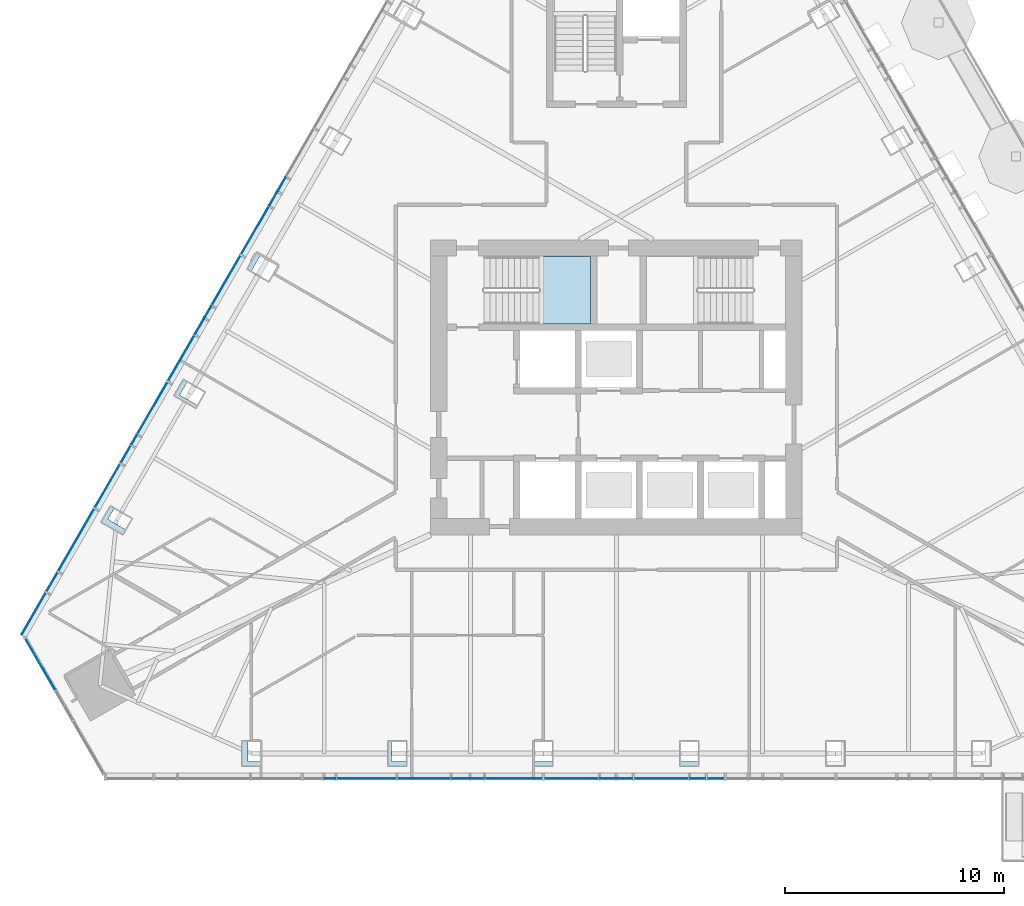
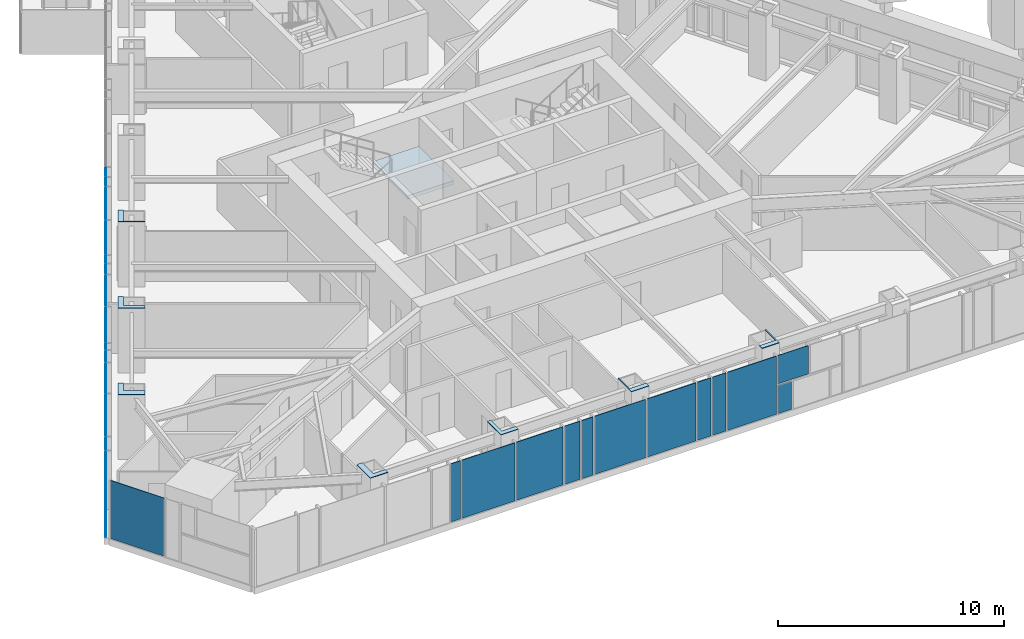
# One storey, part 9 of 24: 34 plates, 1 slab, 4 elements without a shape of their own.
"""IFC4 building model written with IfcOpenShell, lengths in metres."""

import ifcopenshell
import ifcopenshell.guid

model = None  # the IFC model being written
_history = None  # IfcOwnerHistory: only IFC2X3 demands one
_inside = {}  # id of a spatial element -> (the spatial element, [elements in it])
_under = {}  # id of a project, library or spatial element -> (it, [spatial elements below it])
_declared = {}  # id of a project -> (the project, [libraries it declares])
_typed = {}  # id of a type object -> (the type object, [elements of that type])
_made_of = {}  # id of a material, layer set ... -> (it, [elements and type objects made of it])


def new_model(schema):
    """Start an empty IFC model of exactly this schema.

    Asked for "IFC4X3", IfcOpenShell would pick the latest addendum, in which some entities
    have other attributes; the version numbers below select the first issue.
    IFC2X3 requires an IfcOwnerHistory on every rooted entity: one is made here for all.
    """
    global model, _history
    if schema == "IFC4X3":
        model = ifcopenshell.file(schema_version=(4, 3, 0, 0))
    else:
        model = ifcopenshell.file(schema=schema)
    _inside.clear()
    _under.clear()
    _declared.clear()
    _typed.clear()
    _made_of.clear()
    _history = None
    if model.schema == "IFC2X3":
        org = make("IfcOrganization", Name="unknown")
        user = make(
            "IfcPersonAndOrganization",
            ThePerson=make("IfcPerson", FamilyName="unknown"),
            TheOrganization=org,
        )
        app = make(
            "IfcApplication",
            ApplicationDeveloper=org,
            Version="unknown",
            ApplicationFullName="unknown",
            ApplicationIdentifier="unknown",
        )
        _history = make(
            "IfcOwnerHistory",
            OwningUser=user,
            OwningApplication=app,
            ChangeAction="ADDED",
            CreationDate=0,
        )
    return model


def make(cls, **values):
    """One entity of the class cls with the attributes given. An attribute that is None is left unset."""
    return model.create_entity(
        cls, **{name: value for name, value in values.items() if value is not None}
    )


def rooted(cls, **values):
    """An entity with a GlobalId (a new one), such as an element, a storey or a relation."""
    return make(cls, GlobalId=ifcopenshell.guid.new(), OwnerHistory=_history, **values)


def si_unit(unit_type, name, prefix=None):
    """IfcSIUnit, for example si_unit("LENGTHUNIT", "METRE", prefix="MILLI")."""
    return make("IfcSIUnit", UnitType=unit_type, Prefix=prefix, Name=name)


def assignment(units):
    """IfcUnitAssignment: the units of a project."""
    return None if units is None else make("IfcUnitAssignment", Units=units)


def point(xyz):
    """IfcCartesianPoint."""
    return None if xyz is None else make("IfcCartesianPoint", Coordinates=xyz)


def direction(xyz):
    """IfcDirection."""
    return None if xyz is None else make("IfcDirection", DirectionRatios=xyz)


def frame(location, z_axis=None, x_axis=None):
    """IfcAxis2Placement3D, a coordinate frame: its origin and axes. An axis left out is left unset."""
    return make(
        "IfcAxis2Placement3D",
        Location=point(location),
        Axis=direction(z_axis),
        RefDirection=direction(x_axis),
    )


def origin():
    """The frame at (0, 0, 0) with its axes left unset."""
    return frame((0.0, 0.0, 0.0))


def place(relative_to, where):
    """IfcLocalPlacement: puts the frame where relative to a parent placement (None: the world)."""
    return make(
        "IfcLocalPlacement", PlacementRelTo=relative_to, RelativePlacement=where
    )


def context(
    kind, dimensions, precision=None, world=None, true_north=None, identifier=None
):
    """IfcGeometricRepresentationContext, for example the 3D "Model" context."""
    return make(
        "IfcGeometricRepresentationContext",
        ContextIdentifier=identifier,
        ContextType=kind,
        CoordinateSpaceDimension=dimensions,
        Precision=precision,
        WorldCoordinateSystem=world,
        TrueNorth=true_north,
    )


def subcontext(parent, identifier, kind, view, scale=None):
    """IfcGeometricRepresentationSubContext, for example "Body" below "Model"."""
    return make(
        "IfcGeometricRepresentationSubContext",
        ContextIdentifier=identifier,
        ContextType=kind,
        ParentContext=parent,
        TargetScale=scale,
        TargetView=view,
    )


def project(units=None, contexts=None):
    """IfcProject with its units and contexts."""
    return rooted(
        "IfcProject",
        Name="project",
        RepresentationContexts=contexts,
        UnitsInContext=assignment(units),
    )


def spatial(cls, under=None, at=None, **own):
    """A site, building, storey or space (cls), placed at a placement, below another one or the project."""
    s = rooted(cls, ObjectPlacement=at, **own)
    if under is not None:
        _under.setdefault(under.id(), (under, []))[1].append(s)
    return s


def polyline(points):
    """IfcPolyline through the points."""
    return make("IfcPolyline", Points=[point(p) for p in points])


def outline(outer, holes=None, kind="AREA"):
    """IfcArbitraryClosedProfileDef: a profile drawn as a closed curve; with holes, ...WithVoids."""
    if holes is None:
        return make("IfcArbitraryClosedProfileDef", ProfileType=kind, OuterCurve=outer)
    return make(
        "IfcArbitraryProfileDefWithVoids",
        ProfileType=kind,
        OuterCurve=outer,
        InnerCurves=holes,
    )


def extrude(swept, where, along, depth):
    """IfcExtrudedAreaSolid: the profile swept, set in the frame where, extruded along a direction by depth."""
    return make(
        "IfcExtrudedAreaSolid",
        SweptArea=swept,
        Position=where,
        ExtrudedDirection=direction(along),
        Depth=depth,
    )


def shape(context_of_items, identifier, shape_type, items):
    """IfcShapeRepresentation: the items that make up one representation, for example the "Body"."""
    return make(
        "IfcShapeRepresentation",
        ContextOfItems=context_of_items,
        RepresentationIdentifier=identifier,
        RepresentationType=shape_type,
        Items=items,
    )


def material(Name=None, Category=None):
    """IfcMaterial."""
    return make("IfcMaterial", Name=Name, Category=Category)


def layer(
    of_material, thickness, ventilated=None, Name=None, Category=None, Priority=None
):
    """IfcMaterialLayer: one layer of a wall or slab, of a material (None: an air gap)."""
    return make(
        "IfcMaterialLayer",
        Material=of_material,
        LayerThickness=thickness,
        IsVentilated=ventilated,
        Name=Name,
        Category=Category,
        Priority=Priority,
    )


def layer_set(layers, Name=None):
    """IfcMaterialLayerSet."""
    return make("IfcMaterialLayerSet", MaterialLayers=layers, LayerSetName=Name)


def made_of(thing, what):
    """Note that an element or type object is made of a material, layer set ...; save() writes the relation."""
    if what is not None:
        _made_of.setdefault(what.id(), (what, []))[1].append(thing)
    return thing


def type_object(cls, material=None, **own):
    """A type object (cls), such as IfcWallType, which elements share."""
    return made_of(rooted(cls, **own), material)


def element(
    cls,
    number,
    at=None,
    inside=None,
    cuts=None,
    type_object=None,
    material=None,
    context=None,
    identifier="Body",
    shape_type=None,
    held_by="IfcProductDefinitionShape",
    body=None,
    shapes=None,
    **own,
):
    """One element of the class cls, such as IfcWall. Its Tag is "e" and its number.

    at: its placement. inside: the storey or other place that contains it. cuts: it is an
    opening in that element (IfcRelVoidsElement). A single representation is given by context,
    identifier, shape_type and body (its items); several are given by shapes. held_by: the class
    of the entity that holds the representations. save() writes the other relations.
    """
    e = rooted(cls, Tag="e%d" % number, ObjectPlacement=at, **own)
    if body is not None:
        shapes = [shape(context, identifier, shape_type, body)]
    if shapes is not None:
        e.Representation = make(held_by, Representations=shapes)
    if inside is not None:
        _inside.setdefault(inside.id(), (inside, []))[1].append(e)
    if cuts is not None:
        rooted(
            "IfcRelVoidsElement", RelatingBuildingElement=cuts, RelatedOpeningElement=e
        )
    if type_object is not None:
        _typed.setdefault(type_object.id(), (type_object, []))[1].append(e)
    return made_of(e, material)


def aggregate(whole, parts):
    """IfcRelAggregates: a whole, such as a stair, and the parts it consists of."""
    return rooted("IfcRelAggregates", RelatingObject=whole, RelatedObjects=parts)


def save(model, path):
    """Write the relations noted so far, then the file.

    IfcRelAggregates (storeys below a building ...), IfcRelContainedInSpatialStructure (elements
    in a storey), IfcRelDefinesByType, IfcRelAssociatesMaterial and IfcRelDeclares: one each for
    every whole, place, type object, material and project.
    """
    for whole, parts in _under.values():
        aggregate(whole, parts)
    for where, things in _inside.values():
        rooted(
            "IfcRelContainedInSpatialStructure",
            RelatedElements=things,
            RelatingStructure=where,
        )
    for kind, things in _typed.values():
        rooted("IfcRelDefinesByType", RelatedObjects=things, RelatingType=kind)
    for what, things in _made_of.values():
        rooted("IfcRelAssociatesMaterial", RelatedObjects=things, RelatingMaterial=what)
    for by, libraries in _declared.values():
        rooted("IfcRelDeclares", RelatingContext=by, RelatedDefinitions=libraries)
    model.write(path)


model = new_model("IFC4")

# Units and contexts
model_context = context("Model", 3, precision=1e-05, world=origin(), true_north=direction((0.0, 1.0)))
body_context = subcontext(model_context, "Body", "Model", "MODEL_VIEW")
ifc_project = project(units=[si_unit("LENGTHUNIT", "METRE"), si_unit("AREAUNIT", "SQUARE_METRE"), si_unit("VOLUMEUNIT", "CUBIC_METRE"), si_unit("PLANEANGLEUNIT", "RADIAN"), si_unit("MASSUNIT", "GRAM", prefix="KILO")], contexts=[model_context])

# Site, building, storey
site_placement = place(None, origin())
site = spatial("IfcSite", under=ifc_project, at=site_placement, CompositionType="ELEMENT")
building_placement = place(site_placement, origin())
building = spatial("IfcBuilding", under=site, at=building_placement, Name="Firuza Gate Tower and Library", CompositionType="ELEMENT")
storey_placement = place(building_placement, frame((0.0, 0.0, 267.10009765625)))
storey = spatial("IfcBuildingStorey", under=building, at=storey_placement, Name="L63", CompositionType="ELEMENT", Elevation=267.10009765625)

# Plates
ifc_material_1 = material(Name="Steel S355", Category="steel")
ifc_layer_1 = layer(ifc_material_1, 0.030029296875)
ifc_layer_set_1 = layer_set([ifc_layer_1], Name="Column infill plate 30 Steel S355")
plate_type_1 = type_object("IfcPlateType", Name="Column infill plate 30 Steel S355", PredefinedType="SHEET", material=ifc_layer_set_1)
placement_1 = place(storey_placement, frame((0.0, 0.0, 3.5)))
element("IfcPlate", 1, at=placement_1, inside=storey, type_object=plate_type_1, Name="Infill plate L63:S1", PredefinedType="SHEET", context=body_context, shape_type="SweptSolid", body=[
    extrude(outline(polyline([(58.743408203125, 57.63916015625), (58.743408203125, 57.876220703125), (58.13671875, 57.876220703125), (58.13671875, 58.83935546875), (57.84326171875, 58.83935546875), (57.84326171875, 57.63916015625), (58.743408203125, 57.63916015625)])), origin(), (0.0, 0.0, 1.0), 0.02978515625),
])
element("IfcPlate", 2, at=placement_1, inside=storey, type_object=plate_type_1, Name="Infill plate L63:S2", PredefinedType="SHEET", context=body_context, shape_type="SweptSolid", body=[
    extrude(outline(polyline([(65.426025390625, 57.63916015625), (65.426025390625, 57.876220703125), (64.701904296875, 57.876220703125), (64.701904296875, 58.83935546875), (64.52587890625, 58.83935546875), (64.52587890625, 57.63916015625), (65.426025390625, 57.63916015625)])), origin(), (0.0, 0.0, 1.0), 0.02978515625),
])
element("IfcPlate", 3, at=placement_1, inside=storey, type_object=plate_type_1, Name="Infill plate L63:S3", PredefinedType="SHEET", context=body_context, shape_type="SweptSolid", body=[
    extrude(outline(polyline([(72.108642578125, 57.63916015625), (72.108642578125, 57.876220703125), (71.267333984375, 57.876220703125), (71.267333984375, 58.83935546875), (71.208740234375, 58.83935546875), (71.208740234375, 57.63916015625), (72.108642578125, 57.63916015625)])), origin(), (0.0, 0.0, 1.0), 0.02978515625),
])
element("IfcPlate", 4, at=placement_1, inside=storey, type_object=plate_type_1, Name="Infill plate L63:S4", PredefinedType="SHEET", context=body_context, shape_type="SweptSolid", body=[
    extrude(outline(polyline([(78.791259765625, 58.83935546875), (78.732666015625, 58.83935546875), (78.732666015625, 57.876220703125), (77.891357421875, 57.876220703125), (77.891357421875, 57.63916015625), (78.791259765625, 57.63916015625), (78.791259765625, 58.83935546875)])), origin(), (0.0, 0.0, 1.0), 0.02978515625),
])
element("IfcPlate", 5, at=placement_1, inside=storey, type_object=plate_type_1, Name="Infill plate L63:W4", PredefinedType="SHEET", context=body_context, shape_type="SweptSolid", body=[
    extrude(outline(polyline([(59.108642578125, 79.796875), (59.137939453125, 79.847900390625), (58.30419921875, 80.329345703125), (58.724853515625, 81.057861328125), (58.51953125, 81.176513671875), (58.069580078125, 80.39697265625), (59.108642578125, 79.796875)])), origin(), (0.0, 0.0, 1.0), 0.02978515625),
])
element("IfcPlate", 6, at=placement_1, inside=storey, type_object=plate_type_1, Name="Infill plate L63:W5", PredefinedType="SHEET", context=body_context, shape_type="SweptSolid", body=[
    extrude(outline(polyline([(55.767333984375, 74.009521484375), (55.85546875, 74.162109375), (55.021484375, 74.6435546875), (55.383544921875, 75.2705078125), (55.17822265625, 75.38916015625), (54.72802734375, 74.609619140625), (55.767333984375, 74.009521484375)])), origin(), (0.0, 0.0, 1.0), 0.02978515625),
])
element("IfcPlate", 7, at=placement_1, inside=storey, type_object=plate_type_1, Name="Infill plate L63:W6", PredefinedType="SHEET", context=body_context, shape_type="SweptSolid", body=[
    extrude(outline(polyline([(52.426025390625, 68.22216796875), (52.57275390625, 68.476318359375), (51.73876953125, 68.957763671875), (52.042236328125, 69.483154296875), (51.8369140625, 69.601806640625), (51.38671875, 68.822265625), (52.426025390625, 68.22216796875)])), origin(), (0.0, 0.0, 1.0), 0.02978515625),
])

# Curtain wall, plates
ifc_material_2 = material(Name="Aluminium 6063-T6", Category="aluminium")
ifc_layer_2 = layer(ifc_material_2, 0.14990234375)
ifc_layer_set_2 = layer_set([ifc_layer_2], Name="Unitised curtain wall, residences")
curtain_wall_type_1 = type_object("IfcCurtainWallType", Name="Unitised curtain wall, residences", PredefinedType="NOTDEFINED", material=ifc_layer_set_2)
placement_2 = place(storey_placement, origin())
curtain_wall_1 = element("IfcCurtainWall", 8, at=placement_2, inside=storey, type_object=curtain_wall_type_1, Name="CW3 L63 S face", PredefinedType="NOTDEFINED")
ifc_material_3 = material(Name="Fritted glass", Category="glass")
ifc_layer_3 = layer(ifc_material_3, 0.030029296875)
ifc_layer_set_3 = layer_set([ifc_layer_3], Name="Fritted glass unit, residences")
plate_type_2 = type_object("IfcPlateType", Name="Fritted glass unit, residences", PredefinedType="CURTAIN_PANEL", material=ifc_layer_set_3)
plate_8_placement = place(storey_placement, frame((61.64990234375, 57.079345703125, 0.14990234375), z_axis=(0.0, -1.0, 0.0), x_axis=(1.0, 0.0, 0.0)))
plate_8 = element("IfcPlate", 9, at=plate_8_placement, type_object=plate_type_2, Name="Glass unit", PredefinedType="CURTAIN_PANEL", context=body_context, shape_type="SweptSolid", body=[
    extrude(outline(polyline([(0.0, 0.0), (0.478515625, 0.0), (0.478515625, 3.14990234375), (0.0, 3.14990234375), (0.0, 0.0)])), origin(), (0.0, 0.0, -1.0), 0.030029296875),
])
plate_9_placement = place(storey_placement, frame((67.471435546875, 57.079345703125, 0.14990234375), z_axis=(0.0, -1.0, 0.0), x_axis=(1.0, 0.0, 0.0)))
plate_9 = element("IfcPlate", 10, at=plate_9_placement, type_object=plate_type_2, Name="Glass unit", PredefinedType="CURTAIN_PANEL", context=body_context, shape_type="SweptSolid", body=[
    extrude(outline(polyline([(0.0, 0.0), (0.79345703125, 0.0), (0.79345703125, 3.14990234375), (0.0, 3.14990234375), (0.0, 0.0)])), origin(), (0.0, 0.0, -1.0), 0.030029296875),
])
plate_10_placement = place(storey_placement, frame((68.344970703125, 57.079345703125, 0.14990234375), z_axis=(0.0, -1.0, 0.0), x_axis=(1.0, 0.0, 0.0)))
plate_10 = element("IfcPlate", 11, at=plate_10_placement, type_object=plate_type_2, Name="Glass unit", PredefinedType="CURTAIN_PANEL", context=body_context, shape_type="SweptSolid", body=[
    extrude(outline(polyline([(0.0, 0.0), (0.58349609375, 0.0), (0.58349609375, 3.14990234375), (0.0, 3.14990234375), (0.0, 0.0)])), origin(), (0.0, 0.0, -1.0), 0.030029296875),
])
plate_11_placement = place(storey_placement, frame((74.271484375, 57.079345703125, 0.14990234375), z_axis=(0.0, -1.0, 0.0), x_axis=(1.0, 0.0, 0.0)))
plate_11 = element("IfcPlate", 12, at=plate_11_placement, type_object=plate_type_2, Name="Glass unit", PredefinedType="CURTAIN_PANEL", context=body_context, shape_type="SweptSolid", body=[
    extrude(outline(polyline([(0.0, 0.0), (0.6884765625, 0.0), (0.6884765625, 3.14990234375), (0.0, 3.14990234375), (0.0, 0.0)])), origin(), (0.0, 0.0, -1.0), 0.030029296875),
])
plate_12_placement = place(storey_placement, frame((75.0400390625, 57.079345703125, 0.14990234375), z_axis=(0.0, -1.0, 0.0), x_axis=(1.0, 0.0, 0.0)))
plate_12 = element("IfcPlate", 13, at=plate_12_placement, type_object=plate_type_2, Name="Glass unit", PredefinedType="CURTAIN_PANEL", context=body_context, shape_type="SweptSolid", body=[
    extrude(outline(polyline([(0.0, 0.0), (0.6884765625, 0.0), (0.6884765625, 3.14990234375), (0.0, 3.14990234375), (0.0, 0.0)])), origin(), (0.0, 0.0, -1.0), 0.030029296875),
])
plate_13_placement = place(storey_placement, frame((78.387451171875, 57.079345703125, 0.14990234375), z_axis=(0.0, -1.0, 0.0), x_axis=(1.0, 0.0, 0.0)))
plate_13 = element("IfcPlate", 14, at=plate_13_placement, type_object=plate_type_2, Name="Glass unit", PredefinedType="CURTAIN_PANEL", context=body_context, shape_type="SweptSolid", body=[
    extrude(outline(polyline([(0.0, 0.0), (0.68603515625, 0.0), (0.68603515625, 1.534912109375), (0.0, 1.534912109375), (0.0, 0.0)])), origin(), (0.0, 0.0, -1.0), 0.030029296875),
])

curtain_wall_2 = element("IfcCurtainWall", 15, at=placement_2, inside=storey, type_object=curtain_wall_type_1, Name="CW3 L63 W face", PredefinedType="NOTDEFINED")
plate_14_placement = place(storey_placement, frame((59.844482421875, 84.59130859375, 0.14990234375), z_axis=(-0.866008413041, 0.500029427677, 0.0), x_axis=(-0.500029427677, -0.866008413041, 0.0)))
plate_14 = element("IfcPlate", 16, at=plate_14_placement, type_object=plate_type_2, Name="Glass unit", PredefinedType="CURTAIN_PANEL", context=body_context, shape_type="SweptSolid", body=[
    extrude(outline(polyline([(0.0, 0.0), (0.688436044352928, 0.0), (0.688436044352928, 3.14990234375), (0.0, 3.14990234375), (0.0, 0.0)])), origin(), (0.0, 0.0, -1.0), 0.030029296875),
])
plate_15_placement = place(storey_placement, frame((59.460205078125, 83.92578125, 0.14990234375), z_axis=(-0.866008413041, 0.500029427677, 0.0), x_axis=(-0.500029427677, -0.866008413041, 0.0)))
plate_15 = element("IfcPlate", 17, at=plate_15_placement, type_object=plate_type_2, Name="Glass unit", PredefinedType="CURTAIN_PANEL", context=body_context, shape_type="SweptSolid", body=[
    extrude(outline(polyline([(0.0, 0.0), (0.688436044352928, 0.0), (0.688436044352928, 3.14990234375), (0.0, 3.14990234375), (0.0, 0.0)])), origin(), (0.0, 0.0, -1.0), 0.030029296875),
])
plate_16_placement = place(storey_placement, frame((56.4443359375, 78.702392578125, 0.14990234375), z_axis=(-0.866046247233, 0.49996389635, 0.0), x_axis=(-0.49996389635, -0.866046247233, 0.0)))
plate_16 = element("IfcPlate", 18, at=plate_16_placement, type_object=plate_type_2, Name="Glass unit", PredefinedType="CURTAIN_PANEL", context=body_context, shape_type="SweptSolid", body=[
    extrude(outline(polyline([(0.0, 0.0), (0.5835382294703995, 0.0), (0.5835382294703995, 3.14990234375), (0.0, 3.14990234375), (0.0, 0.0)])), origin(), (0.0, 0.0, -1.0), 0.030029296875),
])
plate_17_placement = place(storey_placement, frame((56.112548828125, 78.127685546875, 0.14990234375), z_axis=(-0.86605750902, 0.499944387978, 0.0), x_axis=(-0.499944387978, -0.86605750902, 0.0)))
plate_17 = element("IfcPlate", 19, at=plate_17_placement, type_object=plate_type_2, Name="Glass unit", PredefinedType="CURTAIN_PANEL", context=body_context, shape_type="SweptSolid", body=[
    extrude(outline(polyline([(0.0, 0.0), (0.7935452925670253, 0.0), (0.7935452925670253, 3.14990234375), (0.0, 3.14990234375), (0.0, 0.0)])), origin(), (0.0, 0.0, -1.0), 0.030029296875),
])
plate_18_placement = place(storey_placement, frame((53.04443359375, 72.813232421875, 0.14990234375), z_axis=(-0.865973120272, 0.500090546768, 0.0), x_axis=(-0.500090546768, -0.865973120272, 0.0)))
plate_18 = element("IfcPlate", 20, at=plate_18_placement, type_object=plate_type_2, Name="Glass unit", PredefinedType="CURTAIN_PANEL", context=body_context, shape_type="SweptSolid", body=[
    extrude(outline(polyline([(0.0, 0.0), (0.47842898460300054, 0.0), (0.47842898460300054, 3.14990234375), (0.0, 3.14990234375), (0.0, 0.0)])), origin(), (0.0, 0.0, -1.0), 0.030029296875),
])
plate_19_placement = place(storey_placement, frame((52.76513671875, 72.32958984375, 0.14990234375), z_axis=(-0.866027204995, 0.499996880198, 0.0), x_axis=(-0.499996880198, -0.866027204995, 0.0)))
plate_19 = element("IfcPlate", 21, at=plate_19_placement, type_object=plate_type_2, Name="Glass unit", PredefinedType="CURTAIN_PANEL", context=body_context, shape_type="SweptSolid", body=[
    extrude(outline(polyline([(0.0, 0.0), (0.898443105928927, 0.0), (0.898443105928927, 3.14990234375), (0.0, 3.14990234375), (0.0, 0.0)])), origin(), (0.0, 0.0, -1.0), 0.030029296875),
])
plate_20_placement = place(storey_placement, frame((49.417724609375, 66.531494140625, 0.14990234375), z_axis=(-0.8660032352, 0.500038395149, 0.0), x_axis=(-0.500038395149, -0.8660032352, 0.0)))
plate_20 = element("IfcPlate", 22, at=plate_20_placement, type_object=plate_type_2, Name="Glass unit", PredefinedType="CURTAIN_PANEL", context=body_context, shape_type="SweptSolid", body=[
    extrude(outline(polyline([(0.0, 0.0), (1.003340921901339, 0.0), (1.003340921901339, 3.14990234375), (0.0, 3.14990234375), (0.0, 0.0)])), origin(), (0.0, 0.0, -1.0), 0.030029296875),
])

# Curtain wall, plate
ifc_material_4 = material(Name="Aluminium 6063-T6", Category="aluminium")
ifc_layer_4 = layer(ifc_material_4, 0.14990234375)
ifc_layer_set_4 = layer_set([ifc_layer_4], Name="Corner curtain wall, chamfers")
curtain_wall_type_2 = type_object("IfcCurtainWallType", Name="Corner curtain wall, chamfers", PredefinedType="NOTDEFINED", material=ifc_layer_set_4)
curtain_wall_3 = element("IfcCurtainWall", 23, at=placement_2, inside=storey, type_object=curtain_wall_type_2, Name="CW4 L63 SW corner", PredefinedType="NOTDEFINED")
ifc_material_5 = material(Name="Glazed ceramic tile")
ifc_layer_5 = layer(ifc_material_5, 0.030029296875)
ifc_layer_set_5 = layer_set([ifc_layer_5], Name="Opaque ceramic panel, corners")
plate_type_3 = type_object("IfcPlateType", Name="Opaque ceramic panel, corners", PredefinedType="CURTAIN_PANEL", material=ifc_layer_set_5)
plate_21_placement = place(storey_placement, frame((47.93115234375, 63.532470703125, 0.14990234375), z_axis=(-0.866031398331, -0.499989616998, 0.0), x_axis=(0.499989616998, -0.866031398331, 0.0)))
plate_21 = element("IfcPlate", 24, at=plate_21_placement, type_object=plate_type_3, Name="Opaque ceramic panel", PredefinedType="CURTAIN_PANEL", context=body_context, shape_type="SweptSolid", body=[
    extrude(outline(polyline([(0.0, 0.0), (2.7686121805131845, 0.0), (2.7686121805131845, 3.149902343750001), (0.0, 3.149902343750001), (0.0, 0.0)])), origin(), (0.0, 0.0, -1.0), 0.030029296875),
])
aggregate(curtain_wall_3, [plate_21])

# Plate
ifc_material_6 = material(Name="Glazed ceramic tile")
ifc_layer_6 = layer(ifc_material_6, 0.030029296875)
ifc_layer_set_6 = layer_set([ifc_layer_6], Name="Opaque ceramic panel, residences")
plate_type_4 = type_object("IfcPlateType", Name="Opaque ceramic panel, residences", PredefinedType="CURTAIN_PANEL", material=ifc_layer_set_6)
plate_22_placement = place(storey_placement, frame((62.20849609375, 57.079345703125, 0.14990234375), z_axis=(0.0, -1.0, 0.0), x_axis=(1.0, 0.0, 0.0)))
plate_22 = element("IfcPlate", 25, at=plate_22_placement, type_object=plate_type_4, Name="Opaque ceramic panel", PredefinedType="CURTAIN_PANEL", context=body_context, shape_type="SweptSolid", body=[
    extrude(outline(polyline([(0.0, 0.0), (2.708984375, 0.0), (2.708984375, 3.14990234375), (0.0, 3.14990234375), (0.0, 0.0)])), origin(), (0.0, 0.0, -1.0), 0.030029296875),
])

plate_23_placement = place(storey_placement, frame((64.99755859375, 57.079345703125, 0.14990234375), z_axis=(0.0, -1.0, 0.0), x_axis=(1.0, 0.0, 0.0)))
plate_23 = element("IfcPlate", 26, at=plate_23_placement, type_object=plate_type_4, Name="Opaque ceramic panel", PredefinedType="CURTAIN_PANEL", context=body_context, shape_type="SweptSolid", body=[
    extrude(outline(polyline([(0.0, 0.0), (2.39404296875, 0.0), (2.39404296875, 3.14990234375), (0.0, 3.14990234375), (0.0, 0.0)])), origin(), (0.0, 0.0, -1.0), 0.030029296875),
])

plate_24_placement = place(storey_placement, frame((69.008544921875, 57.079345703125, 0.14990234375), z_axis=(0.0, -1.0, 0.0), x_axis=(1.0, 0.0, 0.0)))
plate_24 = element("IfcPlate", 27, at=plate_24_placement, type_object=plate_type_4, Name="Opaque ceramic panel", PredefinedType="CURTAIN_PANEL", context=body_context, shape_type="SweptSolid", body=[
    extrude(outline(polyline([(0.0, 0.0), (2.60400390625, 0.0), (2.60400390625, 3.14990234375), (0.0, 3.14990234375), (0.0, 0.0)])), origin(), (0.0, 0.0, -1.0), 0.030029296875),
])

plate_25_placement = place(storey_placement, frame((71.6923828125, 57.079345703125, 0.14990234375), z_axis=(0.0, -1.0, 0.0), x_axis=(1.0, 0.0, 0.0)))
plate_25 = element("IfcPlate", 28, at=plate_25_placement, type_object=plate_type_4, Name="Opaque ceramic panel", PredefinedType="CURTAIN_PANEL", context=body_context, shape_type="SweptSolid", body=[
    extrude(outline(polyline([(0.0, 0.0), (2.4990234375, 0.0), (2.4990234375, 3.14990234375), (0.0, 3.14990234375), (0.0, 0.0)])), origin(), (0.0, 0.0, -1.0), 0.030029296875),
])

plate_26_placement = place(storey_placement, frame((75.80859375, 57.079345703125, 0.14990234375), z_axis=(0.0, -1.0, 0.0), x_axis=(1.0, 0.0, 0.0)))
plate_26 = element("IfcPlate", 29, at=plate_26_placement, type_object=plate_type_4, Name="Opaque ceramic panel", PredefinedType="CURTAIN_PANEL", context=body_context, shape_type="SweptSolid", body=[
    extrude(outline(polyline([(0.0, 0.0), (2.4990234375, 0.0), (2.4990234375, 3.14990234375), (0.0, 3.14990234375), (0.0, 0.0)])), origin(), (0.0, 0.0, -1.0), 0.030029296875),
])

plate_27_placement = place(storey_placement, frame((78.387451171875, 57.079345703125, 1.764892578125), z_axis=(0.0, -1.0, 0.0), x_axis=(1.0, 0.0, 0.0)))
plate_27 = element("IfcPlate", 30, at=plate_27_placement, type_object=plate_type_4, Name="Opaque ceramic panel", PredefinedType="CURTAIN_PANEL", context=body_context, shape_type="SweptSolid", body=[
    extrude(outline(polyline([(0.0, 0.0), (1.55810546875, 0.0), (1.55810546875, 1.534912109375), (0.0, 1.534912109375), (0.0, 0.0)])), origin(), (0.0, 0.0, -1.0), 0.030029296875),
])

aggregate(curtain_wall_1, [plate_8, plate_22, plate_23, plate_9, plate_10, plate_24, plate_25, plate_11, plate_12, plate_26, plate_13, plate_27])

plate_28_placement = place(storey_placement, frame((59.075927734375, 83.26025390625, 0.14990234375), z_axis=(-0.866034292756, 0.499984603534, 0.0), x_axis=(-0.499984603534, -0.866034292756, 0.0)))
plate_28 = element("IfcPlate", 31, at=plate_28_placement, type_object=plate_type_4, Name="Opaque ceramic panel", PredefinedType="CURTAIN_PANEL", context=body_context, shape_type="SweptSolid", body=[
    extrude(outline(polyline([(0.0, 0.0), (2.499100392130547, 0.0), (2.499100392130547, 3.149902343750001), (0.0, 3.149902343750001), (0.0, 0.0)])), origin(), (0.0, 0.0, -1.0), 0.030029296875),
])

plate_29_placement = place(storey_placement, frame((57.786376953125, 81.026611328125, 0.14990234375), z_axis=(-0.866024771944, 0.500001094379, 0.0), x_axis=(-0.500001094379, -0.866024771944, 0.0)))
plate_29 = element("IfcPlate", 32, at=plate_29_placement, type_object=plate_type_4, Name="Opaque ceramic panel", PredefinedType="CURTAIN_PANEL", context=body_context, shape_type="SweptSolid", body=[
    extrude(outline(polyline([(0.0, 0.0), (2.6039982067298277, 0.0), (2.6039982067298277, 3.14990234375), (0.0, 3.14990234375), (0.0, 0.0)])), origin(), (0.0, 0.0, -1.0), 0.030029296875),
])

plate_30_placement = place(storey_placement, frame((55.676025390625, 77.371337890625, 0.14990234375), z_axis=(-0.866044647487, 0.499966667447, 0.0), x_axis=(-0.499966667447, -0.866044647487, 0.0)))
plate_30 = element("IfcPlate", 33, at=plate_30_placement, type_object=plate_type_4, Name="Opaque ceramic panel", PredefinedType="CURTAIN_PANEL", context=body_context, shape_type="SweptSolid", body=[
    extrude(outline(polyline([(0.0, 0.0), (2.3942025785168273, 0.0), (2.3942025785168273, 3.14990234375), (0.0, 3.14990234375), (0.0, 0.0)])), origin(), (0.0, 0.0, -1.0), 0.030029296875),
])

plate_31_placement = place(storey_placement, frame((54.43896484375, 75.228515625, 0.14990234375), z_axis=(-0.86601598821, 0.500016307898, 0.0), x_axis=(-0.500016307898, -0.86601598821, 0.0)))
plate_31 = element("IfcPlate", 34, at=plate_31_placement, type_object=plate_type_4, Name="Opaque ceramic panel", PredefinedType="CURTAIN_PANEL", context=body_context, shape_type="SweptSolid", body=[
    extrude(outline(polyline([(0.0, 0.0), (2.7088960222001783, 0.0), (2.7088960222001783, 3.14990234375), (0.0, 3.14990234375), (0.0, 0.0)])), origin(), (0.0, 0.0, -1.0), 0.030029296875),
])

plate_32_placement = place(storey_placement, frame((52.27587890625, 71.482177734375, 0.14990234375), z_axis=(-0.866029291668, 0.499993265928, 0.0), x_axis=(-0.499993265928, -0.866029291668, 0.0)))
plate_32 = element("IfcPlate", 35, at=plate_32_placement, type_object=plate_type_4, Name="Opaque ceramic panel", PredefinedType="CURTAIN_PANEL", context=body_context, shape_type="SweptSolid", body=[
    extrude(outline(polyline([(0.0, 0.0), (2.2890933298371823, 0.0), (2.2890933298371823, 3.14990234375), (0.0, 3.14990234375), (0.0, 0.0)])), origin(), (0.0, 0.0, -1.0), 0.030029296875),
])

plate_33_placement = place(storey_placement, frame((51.09130859375, 69.4306640625, 0.14990234375), z_axis=(-0.866027570447, 0.499996247212, 0.0), x_axis=(-0.499996247212, -0.866027570447, 0.0)))
plate_33 = element("IfcPlate", 36, at=plate_33_placement, type_object=plate_type_4, Name="Opaque ceramic panel", PredefinedType="CURTAIN_PANEL", context=body_context, shape_type="SweptSolid", body=[
    extrude(outline(polyline([(0.0, 0.0), (3.2676026502419653, 0.0), (3.2676026502419653, 3.14990234375), (0.0, 3.14990234375), (0.0, 0.0)])), origin(), (0.0, 0.0, -1.0), 0.030029296875),
])

plate_34_placement = place(storey_placement, frame((48.8759765625, 65.59326171875, 0.14990234375), z_axis=(-0.866040401994, 0.49997402144, 0.0), x_axis=(-0.49997402144, -0.866040401994, 0.0)))
plate_34 = element("IfcPlate", 37, at=plate_34_placement, type_object=plate_type_4, Name="Opaque ceramic panel", PredefinedType="CURTAIN_PANEL", context=body_context, shape_type="SweptSolid", body=[
    extrude(outline(polyline([(0.0, 0.0), (2.1841955157585415, 0.0), (2.1841955157585415, 3.14990234375), (0.0, 3.14990234375), (0.0, 0.0)])), origin(), (0.0, 0.0, -1.0), 0.030029296875),
])

aggregate(curtain_wall_2, [plate_14, plate_15, plate_28, plate_29, plate_16, plate_17, plate_30, plate_31, plate_18, plate_19, plate_32, plate_33, plate_20, plate_34])

# Stair, slab
ifc_material_7 = material(Name="Concrete C35/45", Category="concrete")
stair_type = type_object("IfcStairType", Name="Exit stair ST8", PredefinedType="HALF_TURN_STAIR", material=ifc_material_7)
stair = element("IfcStair", 38, at=placement_2, inside=storey, type_object=stair_type, Name="L63 Stair ST1", PredefinedType="HALF_TURN_STAIR")
ifc_material_8 = material(Name="Concrete C35/45", Category="concrete")
ifc_layer_7 = layer(ifc_material_8, 0.199951171875)
ifc_layer_set_7 = layer_set([ifc_layer_7], Name="Stair landing 200")
slab_type = type_object("IfcSlabType", Name="Stair landing 200", PredefinedType="LANDING", material=ifc_layer_set_7)
slab_placement = place(storey_placement, frame((0.0, 0.0, 1.5498046875)))
slab = element("IfcSlab", 39, at=slab_placement, type_object=slab_type, Name="ST1 landing 1", PredefinedType="LANDING", context=body_context, shape_type="SweptSolid", body=[
    extrude(outline(polyline([(71.4599609375, 77.89990234375), (73.81005859375, 77.89990234375), (73.81005859375, 80.97998046875), (71.4599609375, 80.97998046875), (71.4599609375, 77.89990234375)])), origin(), (0.0, 0.0, 1.0), 0.2001953125),
])
aggregate(stair, [slab])

save(model, "model.ifc")
